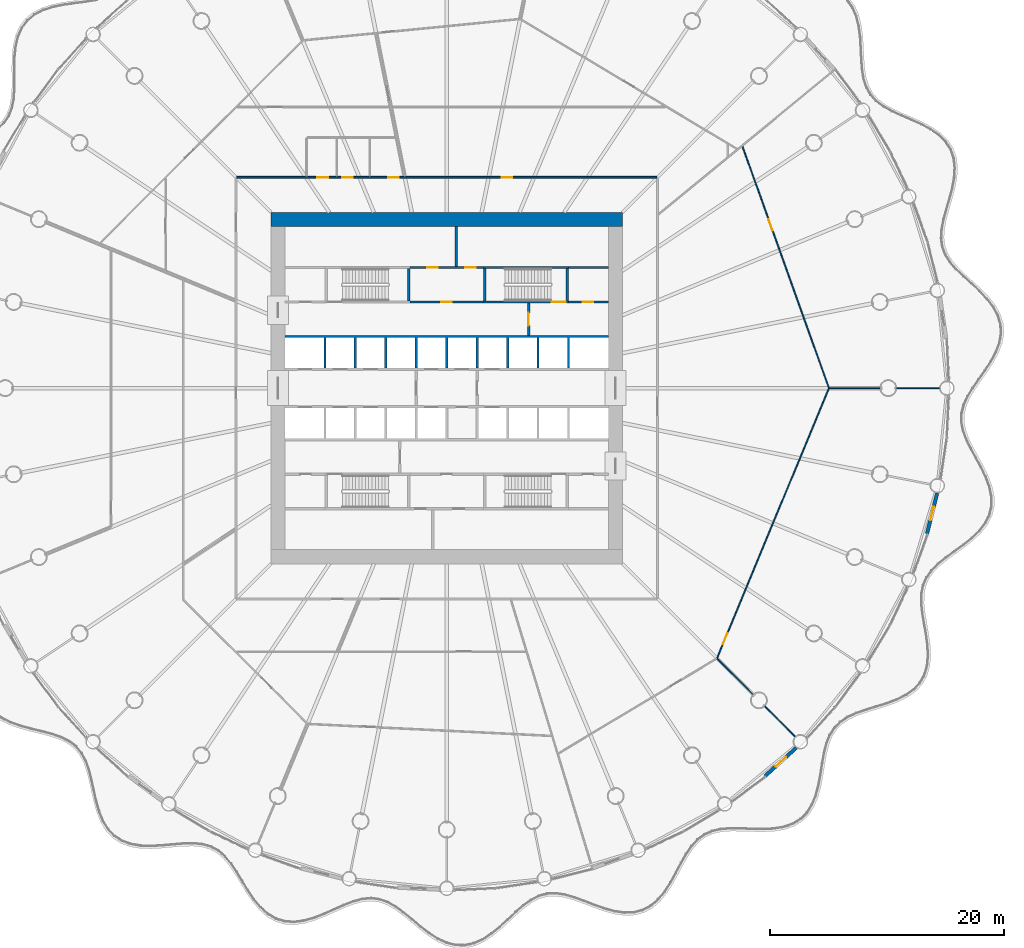
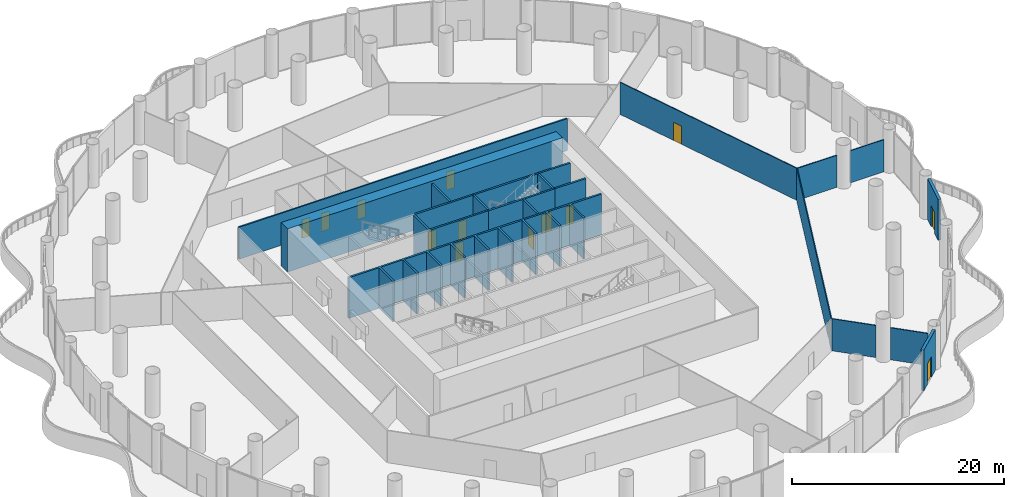
# One storey, part 25 of 35: 22 walls, 14 doors, 14 openings.
"""IFC4 building model written with IfcOpenShell, lengths in metres."""

from ifc_helpers import new_model, si_unit, direction, frame, frame_2d, origin, place, context, subcontext, project, spatial, polyline, rectangle, outline, extrude, material, layer, layer_set, type_object, element, fill, save


model = new_model("IFC4")

# Units and contexts
model_context = context("Model", 3, precision=1e-05, world=origin(), true_north=direction((0.0, 1.0)))
body_context = subcontext(model_context, "Body", "Model", "MODEL_VIEW")
ifc_project = project(units=[si_unit("LENGTHUNIT", "METRE"), si_unit("AREAUNIT", "SQUARE_METRE"), si_unit("VOLUMEUNIT", "CUBIC_METRE"), si_unit("PLANEANGLEUNIT", "RADIAN"), si_unit("MASSUNIT", "GRAM", prefix="KILO")], contexts=[model_context])

# Site, building, storey
site_placement = place(None, origin())
site = spatial("IfcSite", under=ifc_project, at=site_placement, CompositionType="ELEMENT")
building_placement = place(site_placement, origin())
building = spatial("IfcBuilding", under=site, at=building_placement, Name="Corvane Civic Tower", CompositionType="ELEMENT")
storey_placement = place(building_placement, frame((0.0, 0.0, 27.0)))
storey = spatial("IfcBuildingStorey", under=building, at=storey_placement, Name="L05", CompositionType="ELEMENT", Elevation=27.0)

# Wall
ifc_material_1 = material(Name="Concrete C80/95", Category="concrete")
ifc_layer_1 = layer(ifc_material_1, 1.199951171875)
ifc_layer_set_1 = layer_set([ifc_layer_1], Name="Concrete C80/95")
wall_type_1 = type_object("IfcWallType", Name="CORE WALL 1200 C80/95", PredefinedType="SHEAR", material=ifc_layer_set_1)
wall_1_placement = place(storey_placement, frame((-15.0, 14.39990234375, 0.0), z_axis=(0.0, 0.0, 1.0), x_axis=(1.0, 0.0, 0.0)))
element("IfcWall", 1, at=wall_1_placement, inside=storey, type_object=wall_type_1, Name="W-L05-core-N", PredefinedType="SHEAR", context=body_context, shape_type="SweptSolid", body=[
    extrude(rectangle(XDim=30.0, YDim=1.199951171875, at=frame_2d((15.0, 0.0))), origin(), (0.0, 0.0, 1.0), 5.0),
])

# Wall, opening, door
ifc_material_2 = material(Name="Concrete C30/37", Category="concrete")
ifc_layer_2 = layer(ifc_material_2, 0.199951171875)
ifc_layer_set_2 = layer_set([ifc_layer_2], Name="Concrete C30/37")
wall_type_2 = type_object("IfcWallType", Name="CR-WALL-200", PredefinedType="PARTITIONING", material=ifc_layer_set_2)
wall_2_placement = place(storey_placement, frame((-3.14990234375, 7.35009765625, 0.0), z_axis=(0.0, 0.0, 1.0), x_axis=(1.0, 0.0, 0.0)))
wall_2 = element("IfcWall", 2, at=wall_2_placement, inside=storey, type_object=wall_type_2, Name="L05 core partition wall", PredefinedType="PARTITIONING", context=body_context, shape_type="SweptSolid", body=[
    extrude(rectangle(XDim=6.2998046875, YDim=0.199951171875, at=frame_2d((3.14990234375, 0.0))), origin(), (0.0, 0.0, 1.0), 4.699951171875),
])
opening_1_placement = place(wall_2_placement, frame((2.699951171875, 0.0, 0.0)))
opening_1 = element("IfcOpeningElement", 3, at=opening_1_placement, cuts=wall_2, Name="Opening L05.C02", PredefinedType="OPENING", context=body_context, shape_type="SweptSolid", body=[
    extrude(rectangle(XDim=0.89990234375, YDim=2.10009765625, at=frame_2d((0.449951171875, 1.050048828125))), frame((0.0, 0.10986328125, 0.0), z_axis=(0.0, -1.0, 0.0), x_axis=(1.0, 0.0, 0.0)), (0.0, 0.0, 1.0), 0.219970703125),
])
ifc_material_3 = material(Name="Steel fire door leaf", Category="steel")
door_type_1 = type_object("IfcDoorType", Name="CR-DOOR-900", OperationType="SINGLE_SWING_LEFT", PredefinedType="DOOR", material=ifc_material_3)
door_1_placement = place(opening_1_placement, origin())
door_1 = element("IfcDoor", 4, at=door_1_placement, inside=storey, type_object=door_type_1, Name="L05 door", OperationType="SINGLE_SWING_LEFT", OverallHeight=2.10009765625, OverallWidth=0.89990234375, PredefinedType="DOOR", context=body_context, shape_type="SweptSolid", body=[
    extrude(rectangle(XDim=0.89990234375, YDim=2.10009765625, at=frame_2d((0.449951171875, 1.050048828125))), frame((0.0, 0.02490234375, 0.0), z_axis=(0.0, -1.0, 0.0), x_axis=(1.0, 0.0, 0.0)), (0.0, 0.0, 1.0), 0.050048828125),
])
fill(opening_1, door_1)

wall_3_placement = place(storey_placement, frame((10.39990234375, 7.35009765625, 0.0), z_axis=(0.0, 0.0, 1.0), x_axis=(1.0, 0.0, 0.0)))
wall_3 = element("IfcWall", 5, at=wall_3_placement, inside=storey, type_object=wall_type_2, Name="L05 core partition wall", PredefinedType="PARTITIONING", context=body_context, shape_type="SweptSolid", body=[
    extrude(rectangle(XDim=3.400146484375, YDim=0.199951171875, at=frame_2d((1.7001953125, 0.0))), origin(), (0.0, 0.0, 1.0), 4.699951171875),
])
opening_2_placement = place(wall_3_placement, frame((1.199951171875, 0.0, 0.0)))
opening_2 = element("IfcOpeningElement", 6, at=opening_2_placement, cuts=wall_3, Name="Opening L05.C10", PredefinedType="OPENING", context=body_context, shape_type="SweptSolid", body=[
    extrude(rectangle(XDim=0.89990234375, YDim=2.10009765625, at=frame_2d((0.449951171875, 1.050048828125))), frame((0.0, 0.10986328125, 0.0), z_axis=(0.0, -1.0, 0.0), x_axis=(1.0, 0.0, 0.0)), (0.0, 0.0, 1.0), 0.219970703125),
])
door_2_placement = place(opening_2_placement, origin())
door_2 = element("IfcDoor", 7, at=door_2_placement, inside=storey, type_object=door_type_1, Name="L05 door", OperationType="SINGLE_SWING_LEFT", OverallHeight=2.10009765625, OverallWidth=0.89990234375, PredefinedType="DOOR", context=body_context, shape_type="SweptSolid", body=[
    extrude(rectangle(XDim=0.89990234375, YDim=2.10009765625, at=frame_2d((0.449951171875, 1.050048828125))), frame((0.0, 0.02490234375, 0.0), z_axis=(0.0, -1.0, 0.0), x_axis=(1.0, 0.0, 0.0)), (0.0, 0.0, 1.0), 0.050048828125),
])
fill(opening_2, door_2)

# Wall, openings, doors
wall_4_placement = place(storey_placement, frame((-3.14990234375, 10.300048828125, 0.0), z_axis=(0.0, 0.0, 1.0), x_axis=(1.0, 0.0, 0.0)))
wall_4 = element("IfcWall", 8, at=wall_4_placement, inside=storey, type_object=wall_type_2, Name="L05 partition wall", PredefinedType="PARTITIONING", context=body_context, shape_type="SweptSolid", body=[
    extrude(rectangle(XDim=6.2998046875, YDim=0.199951171875, at=frame_2d((3.14990234375, 0.0))), origin(), (0.0, 0.0, 1.0), 4.699951171875),
])
opening_3_placement = place(wall_4_placement, frame((1.47509765625, 0.0, 0.0)))
opening_3 = element("IfcOpeningElement", 9, at=opening_3_placement, cuts=wall_4, Name="Opening L05.C04", PredefinedType="OPENING", context=body_context, shape_type="SweptSolid", body=[
    extrude(rectangle(XDim=0.89990234375, YDim=2.10009765625, at=frame_2d((0.449951171875, 1.050048828125))), frame((0.0, 0.10986328125, 0.0), z_axis=(0.0, -1.0, 0.0), x_axis=(1.0, 0.0, 0.0)), (0.0, 0.0, 1.0), 0.219970703125),
])
opening_4_placement = place(wall_4_placement, frame((4.72509765625, 0.0, 0.0)))
opening_4 = element("IfcOpeningElement", 10, at=opening_4_placement, cuts=wall_4, Name="Opening L05.C05", PredefinedType="OPENING", context=body_context, shape_type="SweptSolid", body=[
    extrude(rectangle(XDim=0.89990234375, YDim=2.10009765625, at=frame_2d((0.449951171875, 1.050048828125))), frame((0.0, 0.10986328125, 0.0), z_axis=(0.0, -1.0, 0.0), x_axis=(1.0, 0.0, 0.0)), (0.0, 0.0, 1.0), 0.219970703125),
])
door_3_placement = place(opening_3_placement, origin())
door_3 = element("IfcDoor", 11, at=door_3_placement, inside=storey, type_object=door_type_1, Name="L05 door", OperationType="SINGLE_SWING_LEFT", OverallHeight=2.10009765625, OverallWidth=0.89990234375, PredefinedType="DOOR", context=body_context, shape_type="SweptSolid", body=[
    extrude(rectangle(XDim=0.89990234375, YDim=2.10009765625, at=frame_2d((0.449951171875, 1.050048828125))), frame((0.0, 0.02490234375, 0.0), z_axis=(0.0, -1.0, 0.0), x_axis=(1.0, 0.0, 0.0)), (0.0, 0.0, 1.0), 0.050048828125),
])
fill(opening_3, door_3)
door_4_placement = place(opening_4_placement, origin())
door_4 = element("IfcDoor", 12, at=door_4_placement, inside=storey, type_object=door_type_1, Name="L05 door", OperationType="SINGLE_SWING_LEFT", OverallHeight=2.10009765625, OverallWidth=0.89990234375, PredefinedType="DOOR", context=body_context, shape_type="SweptSolid", body=[
    extrude(rectangle(XDim=0.89990234375, YDim=2.10009765625, at=frame_2d((0.449951171875, 1.050048828125))), frame((0.0, 0.02490234375, 0.0), z_axis=(0.0, -1.0, 0.0), x_axis=(1.0, 0.0, 0.0)), (0.0, 0.0, 1.0), 0.050048828125),
])
fill(opening_4, door_4)

# Wall, opening, door
wall_5_placement = place(storey_placement, frame((7.0, 4.5, 0.0), z_axis=(0.0, 0.0, 1.0), x_axis=(0.0, 1.0, 0.0)))
wall_5 = element("IfcWall", 13, at=wall_5_placement, inside=storey, type_object=wall_type_2, Name="L05 core partition wall", PredefinedType="PARTITIONING", context=body_context, shape_type="SweptSolid", body=[
    extrude(rectangle(XDim=2.75, YDim=0.199951171875, at=frame_2d((1.375, 0.0))), origin(), (0.0, 0.0, 1.0), 4.699951171875),
])
opening_5_placement = place(wall_5_placement, frame((0.824951171875, 0.0, 0.0)))
opening_5 = element("IfcOpeningElement", 14, at=opening_5_placement, cuts=wall_5, Name="Opening L05.C18", PredefinedType="OPENING", context=body_context, shape_type="SweptSolid", body=[
    extrude(rectangle(XDim=1.10009765625, YDim=2.10009765625, at=frame_2d((0.550048828125, 1.050048828125))), frame((0.0, 0.10986328125, 0.0), z_axis=(0.0, -1.0, 0.0), x_axis=(1.0, 0.0, 0.0)), (0.0, 0.0, 1.0), 0.219970703125),
])
ifc_material_4 = material(Name="Steel fire door leaf", Category="steel")
door_type_2 = type_object("IfcDoorType", Name="CR-DOOR-FFL-1100", OperationType="SINGLE_SWING_LEFT", PredefinedType="DOOR", material=ifc_material_4)
door_5_placement = place(opening_5_placement, origin())
door_5 = element("IfcDoor", 15, at=door_5_placement, inside=storey, type_object=door_type_2, Name="L05 lobby door", OperationType="SINGLE_SWING_LEFT", OverallHeight=2.10009765625, OverallWidth=1.10009765625, PredefinedType="DOOR", context=body_context, shape_type="SweptSolid", body=[
    extrude(rectangle(XDim=1.10009765625, YDim=2.10009765625, at=frame_2d((0.550048828125, 1.050048828125))), frame((0.0, 0.02490234375, 0.0), z_axis=(0.0, -1.0, 0.0), x_axis=(1.0, 0.0, 0.0)), (0.0, 0.0, 1.0), 0.050048828125),
])
fill(opening_5, door_5)

# Walls
wall_6_placement = place(storey_placement, origin())
element("IfcWall", 16, at=wall_6_placement, inside=storey, type_object=wall_type_2, Name="L05 core partition wall", PredefinedType="PARTITIONING", context=body_context, shape_type="SweptSolid", body=[
    extrude(outline(polyline([(-5.10009765625, 4.300048828125), (-5.10009765625, 1.699951171875), (-5.300048828125, 1.699951171875), (-5.300048828125, 4.300048828125), (-7.699951171875, 4.300048828125), (-7.699951171875, 1.699951171875), (-7.89990234375, 1.699951171875), (-7.89990234375, 4.300048828125), (-10.300048828125, 4.300048828125), (-10.300048828125, 1.699951171875), (-10.5, 1.699951171875), (-10.5, 4.300048828125), (-13.800048828125, 4.300048828125), (-13.800048828125, 4.5), (13.800048828125, 4.5), (13.800048828125, 4.300048828125), (10.5, 4.300048828125), (10.5, 1.699951171875), (10.300048828125, 1.699951171875), (10.300048828125, 4.300048828125), (7.89990234375, 4.300048828125), (7.89990234375, 1.699951171875), (7.699951171875, 1.699951171875), (7.699951171875, 4.300048828125), (5.300048828125, 4.300048828125), (5.300048828125, 1.699951171875), (5.10009765625, 1.699951171875), (5.10009765625, 4.300048828125), (2.699951171875, 4.300048828125), (2.699951171875, 1.699951171875), (2.5, 1.699951171875), (2.5, 4.300048828125), (0.10009765625, 4.300048828125), (0.10009765625, 1.699951171875), (-0.10009765625, 1.699951171875), (-0.10009765625, 4.300048828125), (-2.5, 4.300048828125), (-2.5, 1.699951171875), (-2.699951171875, 1.699951171875), (-2.699951171875, 4.300048828125), (-5.10009765625, 4.300048828125)])), origin(), (0.0, 0.0, 1.0), 4.699951171875),
])
wall_7_placement = place(storey_placement, origin())
element("IfcWall", 17, at=wall_7_placement, inside=storey, type_object=wall_type_2, Name="L05 core partition wall", PredefinedType="PARTITIONING", context=body_context, shape_type="SweptSolid", body=[
    extrude(outline(polyline([(0.89990234375, 10.39990234375), (0.699951171875, 10.39990234375), (0.699951171875, 13.800048828125), (0.89990234375, 13.800048828125), (0.89990234375, 10.39990234375)])), origin(), (0.0, 0.0, 1.0), 4.699951171875),
])
wall_8_placement = place(storey_placement, origin())
element("IfcWall", 18, at=wall_8_placement, inside=storey, type_object=wall_type_2, Name="L05 core partition wall", PredefinedType="PARTITIONING", context=body_context, shape_type="SweptSolid", body=[
    extrude(outline(polyline([(10.39990234375, 10.199951171875), (10.39990234375, 10.39990234375), (13.800048828125, 10.39990234375), (13.800048828125, 10.199951171875), (10.39990234375, 10.199951171875)])), origin(), (0.0, 0.0, 1.0), 4.699951171875),
])

# Wall, opening, door
ifc_material_5 = material(Name="Terracotta cladding", Category="masonry")
ifc_layer_3 = layer(ifc_material_5, 0.300048828125)
ifc_layer_set_3 = layer_set([ifc_layer_3], Name="Terracotta cladding")
wall_type_3 = type_object("IfcWallType", Name="PODIUM-W-DRUMDOOR-300", PredefinedType="SOLIDWALL", material=ifc_layer_set_3)
wall_9_placement = place(storey_placement, frame((41.872802734375, -8.973388671875, 0.0), z_axis=(0.0, 0.0, 1.0), x_axis=(-0.243003601959, -0.970025385974, 0.0)))
wall_9 = element("IfcWall", 19, at=wall_9_placement, inside=storey, type_object=wall_type_3, Name="L05 drum door bay wall 10", PredefinedType="SOLIDWALL", context=body_context, shape_type="SweptSolid", body=[
    extrude(rectangle(XDim=3.5595703125, YDim=0.300048828125, at=frame_2d((1.77978515625, 0.0))), origin(), (0.0, 0.0, 1.0), 4.699951171875),
])
opening_6_placement = place(wall_9_placement, frame((1.179931640625, 0.0, 0.0)))
opening_6 = element("IfcOpeningElement", 20, at=opening_6_placement, cuts=wall_9, Name="Opening ED-L05-10", PredefinedType="OPENING", context=body_context, shape_type="SweptSolid", body=[
    extrude(rectangle(XDim=1.199951171875, YDim=2.39990234375, at=frame_2d((0.60009765625, 1.199951171875))), frame((0.0, 0.159912109375, 0.0), z_axis=(0.0, -1.0, 0.0), x_axis=(1.0, 0.0, 0.0)), (0.0, 0.0, 1.0), 0.320068359375),
])
ifc_material_6 = material(Name="Anodised aluminium and glass", Category="aluminium")
door_type_3 = type_object("IfcDoorType", Name="PODIUM-D-BALCONY-1200", OperationType="SINGLE_SWING_LEFT", PredefinedType="DOOR", material=ifc_material_6)
door_6_placement = place(opening_6_placement, origin())
door_6 = element("IfcDoor", 21, at=door_6_placement, inside=storey, type_object=door_type_3, Name="L05 balcony door 10", OperationType="SINGLE_SWING_RIGHT", OverallHeight=2.39990234375, OverallWidth=1.199951171875, PredefinedType="DOOR", context=body_context, shape_type="SweptSolid", body=[
    extrude(rectangle(XDim=1.199951171875, YDim=2.39990234375, at=frame_2d((0.60009765625, 1.199951171875))), frame((0.0, 0.02490234375, 0.0), z_axis=(0.0, -1.0, 0.0), x_axis=(1.0, 0.0, 0.0)), (0.0, 0.0, 1.0), 0.050048828125),
])
fill(opening_6, door_6)

wall_10_placement = place(storey_placement, frame((29.83056640625, -30.72412109375, 0.0), z_axis=(0.0, 0.0, 1.0), x_axis=(-0.740922965913, -0.671590022694, 0.0)))
wall_10 = element("IfcWall", 22, at=wall_10_placement, inside=storey, type_object=wall_type_3, Name="L05 drum door bay wall 13", PredefinedType="SOLIDWALL", context=body_context, shape_type="SweptSolid", body=[
    extrude(rectangle(XDim=3.56005859375, YDim=0.300048828125, at=frame_2d((1.780029296875, 0.0))), origin(), (0.0, 0.0, 1.0), 4.699951171875),
])
opening_7_placement = place(wall_10_placement, frame((1.179931640625, 0.0, 0.0)))
opening_7 = element("IfcOpeningElement", 23, at=opening_7_placement, cuts=wall_10, Name="Opening ED-L05-13", PredefinedType="OPENING", context=body_context, shape_type="SweptSolid", body=[
    extrude(rectangle(XDim=1.199951171875, YDim=2.39990234375, at=frame_2d((0.60009765625, 1.199951171875))), frame((0.0, 0.159912109375, 0.0), z_axis=(0.0, -1.0, 0.0), x_axis=(1.0, 0.0, 0.0)), (0.0, 0.0, 1.0), 0.320068359375),
])
door_7_placement = place(opening_7_placement, origin())
door_7 = element("IfcDoor", 24, at=door_7_placement, inside=storey, type_object=door_type_3, Name="L05 balcony door 13", OperationType="SINGLE_SWING_LEFT", OverallHeight=2.39990234375, OverallWidth=1.199951171875, PredefinedType="DOOR", context=body_context, shape_type="SweptSolid", body=[
    extrude(rectangle(XDim=1.199951171875, YDim=2.39990234375, at=frame_2d((0.60009765625, 1.199951171875))), frame((0.0, 0.02490234375, 0.0), z_axis=(0.0, -1.0, 0.0), x_axis=(1.0, 0.0, 0.0)), (0.0, 0.0, 1.0), 0.050048828125),
])
fill(opening_7, door_7)

# Walls
ifc_material_7 = material(Name="Plasterboard")
ifc_layer_4 = layer(ifc_material_7, 0.10009765625)
ifc_layer_set_4 = layer_set([ifc_layer_4], Name="Plasterboard")
wall_type_4 = type_object("IfcWallType", Name="Partition 100 plasterboard on studs", PredefinedType="PARTITIONING", material=ifc_layer_set_4)
wall_11_placement = place(storey_placement, frame((27.159912109375, -27.159912109375, 0.0), z_axis=(0.0, 0.0, 1.0), x_axis=(0.707106781187, -0.707106781187, 0.0)))
element("IfcWall", 25, at=wall_11_placement, inside=storey, type_object=wall_type_4, Name="Partition L05.005", PredefinedType="PARTITIONING", context=body_context, shape_type="SweptSolid", body=[
    extrude(rectangle(XDim=3.679931640625, YDim=0.10009765625, at=frame_2d((1.83984375, 0.0))), origin(), (0.0, 0.0, 1.0), 3.699951171875),
])
wall_12_placement = place(storey_placement, frame((23.10595703125, -23.10595703125, 0.0), z_axis=(0.0, 0.0, 1.0), x_axis=(0.707106781187, -0.707106781187, 0.0)))
element("IfcWall", 26, at=wall_12_placement, inside=storey, type_object=wall_type_4, Name="Partition L05.008", PredefinedType="PARTITIONING", context=body_context, shape_type="SweptSolid", body=[
    extrude(rectangle(XDim=4.3134765625, YDim=0.10009765625, at=frame_2d((2.15673828125, 0.0))), origin(), (0.0, 0.0, 1.0), 3.699951171875),
])

# Wall, opening, door
wall_13_placement = place(storey_placement, frame((23.09130859375, -23.047607421875, 0.0), z_axis=(0.0, 0.0, 1.0), x_axis=(0.382680104869, 0.923880910798, 0.0)))
wall_13 = element("IfcWall", 27, at=wall_13_placement, inside=storey, type_object=wall_type_4, Name="Partition L05.009", PredefinedType="PARTITIONING", context=body_context, shape_type="SweptSolid", body=[
    extrude(rectangle(XDim=24.912841796875, YDim=0.10009765625, at=frame_2d((12.45654296875, 0.0))), origin(), (0.0, 0.0, 1.0), 3.699951171875),
])
opening_8_placement = place(wall_13_placement, frame((1.27197265625, 0.0, 0.0)))
opening_8 = element("IfcOpeningElement", 28, at=opening_8_placement, cuts=wall_13, Name="Opening L05.013", PredefinedType="OPENING", context=body_context, shape_type="SweptSolid", body=[
    extrude(rectangle(XDim=1.0, YDim=2.10009765625, at=frame_2d((0.5, 1.050048828125))), frame((0.0, 0.06005859375, 0.0), z_axis=(0.0, -1.0, 0.0), x_axis=(1.0, 0.0, 0.0)), (0.0, 0.0, 1.0), 0.1201171875),
])
ifc_material_8 = material(Name="Timber", Category="wood")
door_type_4 = type_object("IfcDoorType", Name="Single door 1000", OperationType="NOTDEFINED", PredefinedType="DOOR", material=ifc_material_8)
door_8_placement = place(opening_8_placement, frame((1.0, 0.0, 0.0), z_axis=(0.0, 0.0, 1.0), x_axis=(-1.0, 0.0, 0.0)))
door_8 = element("IfcDoor", 29, at=door_8_placement, inside=storey, type_object=door_type_4, Name="Door L05.013", OperationType="SINGLE_SWING_LEFT", OverallHeight=2.10009765625, OverallWidth=1.0, PredefinedType="DOOR", context=body_context, shape_type="SweptSolid", body=[
    extrude(rectangle(XDim=1.0, YDim=2.10009765625, at=frame_2d((0.5, 1.050048828125))), frame((0.0, 0.02490234375, 0.0), z_axis=(0.0, -1.0, 0.0), x_axis=(1.0, 0.0, 0.0)), (0.0, 0.0, 1.0), 0.050048828125),
])
fill(opening_8, door_8)

# Walls
wall_14_placement = place(storey_placement, frame((32.673095703125, 0.0, 0.0), z_axis=(0.0, 0.0, 1.0), x_axis=(1.0, 0.0, 0.0)))
element("IfcWall", 30, at=wall_14_placement, inside=storey, type_object=wall_type_4, Name="Partition L05.020", PredefinedType="PARTITIONING", context=body_context, shape_type="SweptSolid", body=[
    extrude(rectangle(XDim=4.31689453125, YDim=0.10009765625, at=frame_2d((2.158447265625, 0.0))), origin(), (0.0, 0.0, 1.0), 3.699951171875),
])
wall_15_placement = place(storey_placement, frame((38.409912109375, 0.0, 0.0), z_axis=(0.0, 0.0, 1.0), x_axis=(1.0, 0.0, 0.0)))
element("IfcWall", 31, at=wall_15_placement, inside=storey, type_object=wall_type_4, Name="Partition L05.021", PredefinedType="PARTITIONING", context=body_context, shape_type="SweptSolid", body=[
    extrude(rectangle(XDim=3.68017578125, YDim=0.10009765625, at=frame_2d((1.840087890625, 0.0))), origin(), (0.0, 0.0, 1.0), 3.699951171875),
])

# Wall, opening, door
wall_16_placement = place(storey_placement, frame((25.25341796875, 20.638427734375, 0.0), z_axis=(0.0, 0.0, 1.0), x_axis=(0.336885451725, -0.941545640113, 0.0)))
wall_16 = element("IfcWall", 32, at=wall_16_placement, inside=storey, type_object=wall_type_4, Name="Partition L05.022", PredefinedType="PARTITIONING", context=body_context, shape_type="SweptSolid", body=[
    extrude(rectangle(XDim=21.884521484375, YDim=0.10009765625, at=frame_2d((10.9423828125, 0.0))), origin(), (0.0, 0.0, 1.0), 3.699951171875),
])
opening_9_placement = place(wall_16_placement, frame((6.631591796875, 0.0, 0.0)))
opening_9 = element("IfcOpeningElement", 33, at=opening_9_placement, cuts=wall_16, Name="Opening L05.012", PredefinedType="OPENING", context=body_context, shape_type="SweptSolid", body=[
    extrude(rectangle(XDim=1.0, YDim=2.10009765625, at=frame_2d((0.5, 1.050048828125))), frame((0.0, 0.06005859375, 0.0), z_axis=(0.0, -1.0, 0.0), x_axis=(1.0, 0.0, 0.0)), (0.0, 0.0, 1.0), 0.1201171875),
])
door_9_placement = place(opening_9_placement, origin())
door_9 = element("IfcDoor", 34, at=door_9_placement, inside=storey, type_object=door_type_4, Name="Door L05.012", OperationType="SINGLE_SWING_LEFT", OverallHeight=2.10009765625, OverallWidth=1.0, PredefinedType="DOOR", context=body_context, shape_type="SweptSolid", body=[
    extrude(rectangle(XDim=1.0, YDim=2.10009765625, at=frame_2d((0.5, 1.050048828125))), frame((0.0, 0.02490234375, 0.0), z_axis=(0.0, -1.0, 0.0), x_axis=(1.0, 0.0, 0.0)), (0.0, 0.0, 1.0), 0.050048828125),
])
fill(opening_9, door_9)

ifc_material_9 = material(Name="Concrete C50/60", Category="concrete")
ifc_layer_5 = layer(ifc_material_9, 0.199951171875)
ifc_layer_set_5 = layer_set([ifc_layer_5], Name="Concrete C50/60")
wall_type_5 = type_object("IfcWallType", Name="ST-WALL-200", PredefinedType="SHEAR", material=ifc_layer_set_5)
wall_17_placement = place(storey_placement, frame((3.14990234375, 7.35009765625, 0.0), z_axis=(0.0, 0.0, 1.0), x_axis=(1.0, 0.0, 0.0)))
wall_17 = element("IfcWall", 35, at=wall_17_placement, inside=storey, type_object=wall_type_5, Name="L05 stair enclosure wall", PredefinedType="SHEAR", context=body_context, shape_type="SweptSolid", body=[
    extrude(rectangle(XDim=7.25, YDim=0.199951171875, at=frame_2d((3.625, 0.0))), origin(), (0.0, 0.0, 1.0), 4.699951171875),
])
opening_10_placement = place(wall_17_placement, frame((5.800048828125, 0.0, 0.0)))
opening_10 = element("IfcOpeningElement", 36, at=opening_10_placement, cuts=wall_17, Name="Opening L05.C12", PredefinedType="OPENING", context=body_context, shape_type="SweptSolid", body=[
    extrude(rectangle(XDim=1.199951171875, YDim=2.10009765625, at=frame_2d((0.60009765625, 1.050048828125))), frame((0.0, 0.10986328125, 0.0), z_axis=(0.0, -1.0, 0.0), x_axis=(1.0, 0.0, 0.0)), (0.0, 0.0, 1.0), 0.219970703125),
])
ifc_material_10 = material(Name="Steel fire door leaf", Category="steel")
door_type_5 = type_object("IfcDoorType", Name="ST-DOOR-1200", OperationType="SINGLE_SWING_RIGHT", PredefinedType="DOOR", material=ifc_material_10)
door_10_placement = place(opening_10_placement, origin())
door_10 = element("IfcDoor", 37, at=door_10_placement, inside=storey, type_object=door_type_5, Name="L05 stair door", OperationType="SINGLE_SWING_RIGHT", OverallHeight=2.10009765625, OverallWidth=1.199951171875, PredefinedType="DOOR", context=body_context, shape_type="SweptSolid", body=[
    extrude(rectangle(XDim=1.199951171875, YDim=2.10009765625, at=frame_2d((0.60009765625, 1.050048828125))), frame((0.0, 0.02490234375, 0.0), z_axis=(0.0, -1.0, 0.0), x_axis=(1.0, 0.0, 0.0)), (0.0, 0.0, 1.0), 0.050048828125),
])
fill(opening_10, door_10)

# Walls
wall_18_placement = place(storey_placement, origin())
element("IfcWall", 38, at=wall_18_placement, inside=storey, type_object=wall_type_5, Name="L05 stair enclosure wall", PredefinedType="SHEAR", context=body_context, shape_type="SweptSolid", body=[
    extrude(outline(polyline([(10.39990234375, 10.199951171875), (3.14990234375, 10.199951171875), (3.14990234375, 10.39990234375), (10.39990234375, 10.39990234375), (10.39990234375, 10.199951171875)])), origin(), (0.0, 0.0, 1.0), 4.699951171875),
])
wall_19_placement = place(storey_placement, origin())
element("IfcWall", 39, at=wall_19_placement, inside=storey, type_object=wall_type_5, Name="L05 stair enclosure wall", PredefinedType="SHEAR", context=body_context, shape_type="SweptSolid", body=[
    extrude(outline(polyline([(-3.14990234375, 7.449951171875), (-3.35009765625, 7.449951171875), (-3.35009765625, 10.199951171875), (-3.14990234375, 10.199951171875), (-3.14990234375, 7.449951171875)])), origin(), (0.0, 0.0, 1.0), 4.699951171875),
])
wall_20_placement = place(storey_placement, origin())
element("IfcWall", 40, at=wall_20_placement, inside=storey, type_object=wall_type_5, Name="L05 stair enclosure wall", PredefinedType="SHEAR", context=body_context, shape_type="SweptSolid", body=[
    extrude(outline(polyline([(3.35009765625, 7.449951171875), (3.14990234375, 7.449951171875), (3.14990234375, 10.199951171875), (3.35009765625, 10.199951171875), (3.35009765625, 7.449951171875)])), origin(), (0.0, 0.0, 1.0), 4.699951171875),
])
wall_21_placement = place(storey_placement, origin())
element("IfcWall", 41, at=wall_21_placement, inside=storey, type_object=wall_type_5, Name="L05 stair enclosure wall", PredefinedType="SHEAR", context=body_context, shape_type="SweptSolid", body=[
    extrude(outline(polyline([(10.39990234375, 7.449951171875), (10.199951171875, 7.449951171875), (10.199951171875, 10.199951171875), (10.39990234375, 10.199951171875), (10.39990234375, 7.449951171875)])), origin(), (0.0, 0.0, 1.0), 4.699951171875),
])

# Wall, openings, doors
ifc_material_11 = material(Name="Plasterboard")
ifc_layer_6 = layer(ifc_material_11, 0.14990234375)
ifc_layer_set_6 = layer_set([ifc_layer_6], Name="Plasterboard")
wall_type_6 = type_object("IfcWallType", Name="Tenancy wall 150 EI 60", PredefinedType="PARTITIONING", material=ifc_layer_set_6)
wall_22_placement = place(storey_placement, frame((-17.925048828125, 18.0, 0.0), z_axis=(0.0, 0.0, 1.0), x_axis=(1.0, 0.0, 0.0)))
wall_22 = element("IfcWall", 42, at=wall_22_placement, inside=storey, type_object=wall_type_6, Name="Partition L05.029", PredefinedType="PARTITIONING", context=body_context, shape_type="SweptSolid", body=[
    extrude(rectangle(XDim=35.85009765625, YDim=0.14990234375, at=frame_2d((17.925048828125, 0.0))), origin(), (0.0, 0.0, 1.0), 3.699951171875),
])
opening_11_placement = place(wall_22_placement, frame((22.63037109375, 0.0, 0.0)))
opening_11 = element("IfcOpeningElement", 43, at=opening_11_placement, cuts=wall_22, Name="Opening L05.008", PredefinedType="OPENING", context=body_context, shape_type="SweptSolid", body=[
    extrude(rectangle(XDim=0.89990234375, YDim=2.10009765625, at=frame_2d((0.449951171875, 1.050048828125))), frame((0.0, 0.0849609375, 0.0), z_axis=(0.0, -1.0, 0.0), x_axis=(1.0, 0.0, 0.0)), (0.0, 0.0, 1.0), 0.169921875),
])
opening_12_placement = place(wall_22_placement, frame((9.002197265625, 0.0, 0.0)))
opening_12 = element("IfcOpeningElement", 44, at=opening_12_placement, cuts=wall_22, Name="Opening L05.009", PredefinedType="OPENING", context=body_context, shape_type="SweptSolid", body=[
    extrude(rectangle(XDim=0.89990234375, YDim=2.10009765625, at=frame_2d((0.449951171875, 1.050048828125))), frame((0.0, 0.0849609375, 0.0), z_axis=(0.0, -1.0, 0.0), x_axis=(1.0, 0.0, 0.0)), (0.0, 0.0, 1.0), 0.169921875),
])
opening_13_placement = place(wall_22_placement, frame((12.935791015625, 0.0, 0.0)))
opening_13 = element("IfcOpeningElement", 45, at=opening_13_placement, cuts=wall_22, Name="Opening L05.010", PredefinedType="OPENING", context=body_context, shape_type="SweptSolid", body=[
    extrude(rectangle(XDim=0.89990234375, YDim=2.10009765625, at=frame_2d((0.449951171875, 1.050048828125))), frame((0.0, 0.0849609375, 0.0), z_axis=(0.0, -1.0, 0.0), x_axis=(1.0, 0.0, 0.0)), (0.0, 0.0, 1.0), 0.169921875),
])
opening_14_placement = place(wall_22_placement, frame((6.889892578125, 0.0, 0.0)))
opening_14 = element("IfcOpeningElement", 46, at=opening_14_placement, cuts=wall_22, Name="Opening L05.011", PredefinedType="OPENING", context=body_context, shape_type="SweptSolid", body=[
    extrude(rectangle(XDim=0.89990234375, YDim=2.10009765625, at=frame_2d((0.449951171875, 1.050048828125))), frame((0.0, 0.0849609375, 0.0), z_axis=(0.0, -1.0, 0.0), x_axis=(1.0, 0.0, 0.0)), (0.0, 0.0, 1.0), 0.169921875),
])
ifc_material_12 = material(Name="Steel and timber", Category="steel")
door_type_6 = type_object("IfcDoorType", Name="Fire door FD30S 900", OperationType="NOTDEFINED", PredefinedType="DOOR", material=ifc_material_12)
door_11_placement = place(opening_11_placement, origin())
door_11 = element("IfcDoor", 47, at=door_11_placement, inside=storey, type_object=door_type_6, Name="Door L05.008", OperationType="SINGLE_SWING_RIGHT", OverallHeight=2.10009765625, OverallWidth=0.89990234375, PredefinedType="DOOR", context=body_context, shape_type="SweptSolid", body=[
    extrude(rectangle(XDim=0.89990234375, YDim=2.10009765625, at=frame_2d((0.449951171875, 1.050048828125))), frame((0.0, 0.02490234375, 0.0), z_axis=(0.0, -1.0, 0.0), x_axis=(1.0, 0.0, 0.0)), (0.0, 0.0, 1.0), 0.050048828125),
])
fill(opening_11, door_11)
door_12_placement = place(opening_12_placement, origin())
door_12 = element("IfcDoor", 48, at=door_12_placement, inside=storey, type_object=door_type_6, Name="Door L05.009", OperationType="SINGLE_SWING_LEFT", OverallHeight=2.10009765625, OverallWidth=0.89990234375, PredefinedType="DOOR", context=body_context, shape_type="SweptSolid", body=[
    extrude(rectangle(XDim=0.89990234375, YDim=2.10009765625, at=frame_2d((0.449951171875, 1.050048828125))), frame((0.0, 0.02490234375, 0.0), z_axis=(0.0, -1.0, 0.0), x_axis=(1.0, 0.0, 0.0)), (0.0, 0.0, 1.0), 0.050048828125),
])
fill(opening_12, door_12)
door_13_placement = place(opening_13_placement, origin())
door_13 = element("IfcDoor", 49, at=door_13_placement, inside=storey, type_object=door_type_6, Name="Door L05.010", OperationType="SINGLE_SWING_LEFT", OverallHeight=2.10009765625, OverallWidth=0.89990234375, PredefinedType="DOOR", context=body_context, shape_type="SweptSolid", body=[
    extrude(rectangle(XDim=0.89990234375, YDim=2.10009765625, at=frame_2d((0.449951171875, 1.050048828125))), frame((0.0, 0.02490234375, 0.0), z_axis=(0.0, -1.0, 0.0), x_axis=(1.0, 0.0, 0.0)), (0.0, 0.0, 1.0), 0.050048828125),
])
fill(opening_13, door_13)
door_14_placement = place(opening_14_placement, origin())
door_14 = element("IfcDoor", 50, at=door_14_placement, inside=storey, type_object=door_type_6, Name="Door L05.011", OperationType="SINGLE_SWING_RIGHT", OverallHeight=2.10009765625, OverallWidth=0.89990234375, PredefinedType="DOOR", context=body_context, shape_type="SweptSolid", body=[
    extrude(rectangle(XDim=0.89990234375, YDim=2.10009765625, at=frame_2d((0.449951171875, 1.050048828125))), frame((0.0, 0.02490234375, 0.0), z_axis=(0.0, -1.0, 0.0), x_axis=(1.0, 0.0, 0.0)), (0.0, 0.0, 1.0), 0.050048828125),
])
fill(opening_14, door_14)

save(model, "model.ifc")
